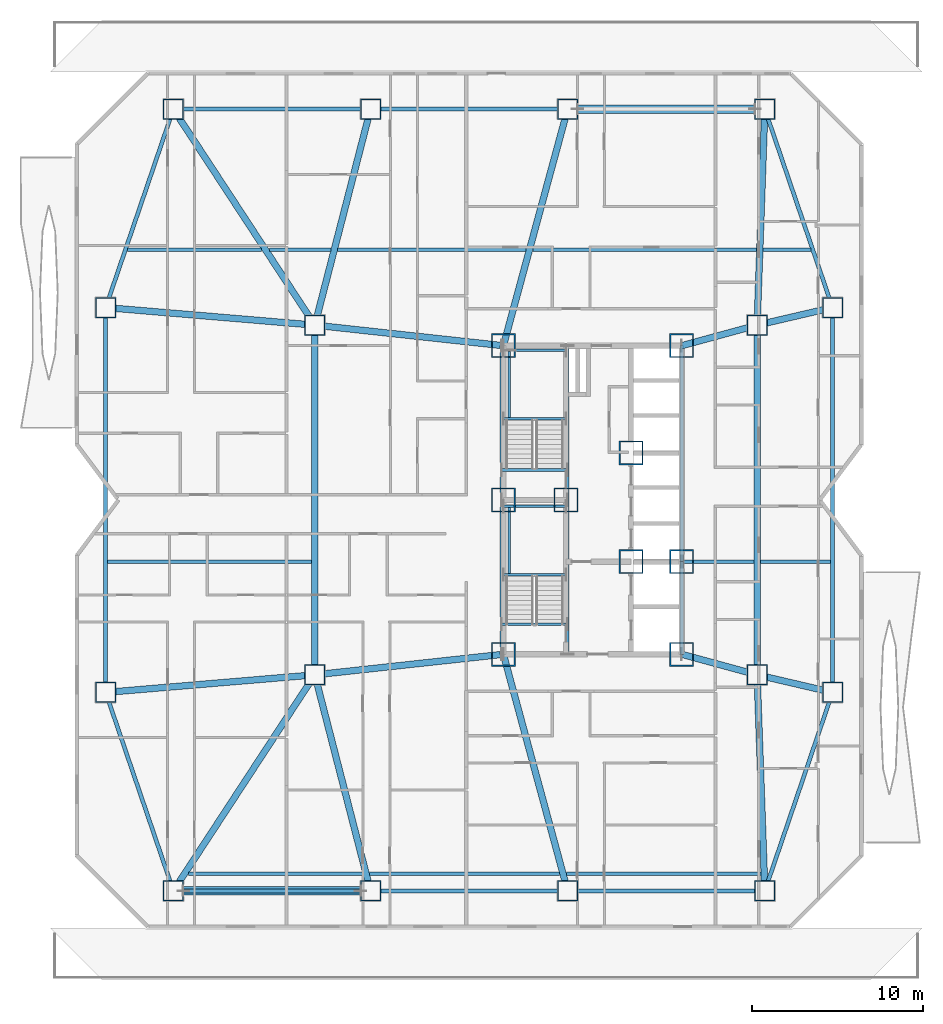
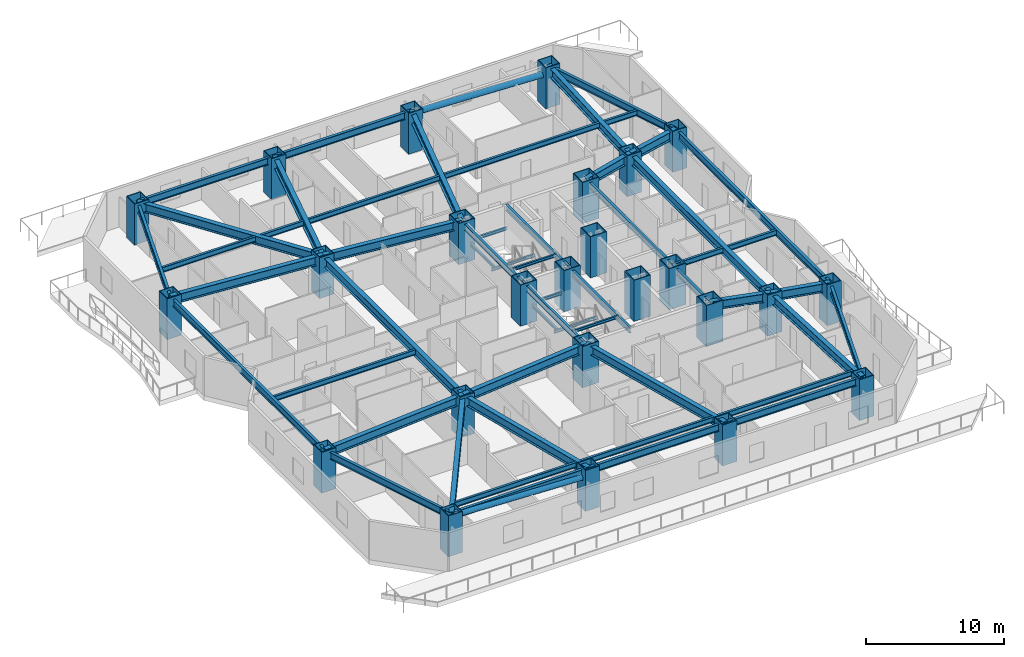
# One storey, part 1 of 18: 54 beams, 25 columns, 2 members.
"""IFC4 building model written with IfcOpenShell, lengths in metres."""

from ifc_helpers import new_model, si_unit, direction, frame, origin, origin_2d, place, context, subcontext, project, spatial, hollow_rectangle, hollow_circle, i_section, extrude, material, material_profile, profile_set, type_object, element, save


model = new_model("IFC4")

# Units and contexts
model_context = context("Model", 3, precision=1e-05, world=origin(), true_north=direction((0.0, 1.0)))
body_context = subcontext(model_context, "Body", "Model", "MODEL_VIEW")
ifc_project = project(units=[si_unit("LENGTHUNIT", "METRE"), si_unit("AREAUNIT", "SQUARE_METRE"), si_unit("VOLUMEUNIT", "CUBIC_METRE"), si_unit("PLANEANGLEUNIT", "RADIAN"), si_unit("MASSUNIT", "GRAM", prefix="KILO")], contexts=[model_context])

# Site, building, storey
site_placement = place(None, origin())
site = spatial("IfcSite", under=ifc_project, at=site_placement, CompositionType="ELEMENT")
building_placement = place(site_placement, origin())
building = spatial("IfcBuilding", under=site, at=building_placement, Name="Khamvora Tower", CompositionType="ELEMENT")
storey_placement = place(building_placement, frame((0.0, 0.0, 33.300048828125)))
storey = spatial("IfcBuildingStorey", under=building, at=storey_placement, Name="L07", CompositionType="ELEMENT", Elevation=33.300048828125)

# Columns
ifc_material_1 = material(Name="Steel S460", Category="steel")
ifc_material_profile_1 = material_profile(ifc_material_1, hollow_rectangle(XDim=1.199951171875, YDim=1.199951171875, WallThickness=0.06005859375, at=origin_2d()), Name="BOX1200x1200x60")
ifc_profile_set_1 = profile_set([ifc_material_profile_1], Name="Steel S460")
column_type_1 = type_object("IfcColumnType", Name="COL-BOX1200", PredefinedType="COLUMN", material=ifc_profile_set_1)
for number, where, z_axis, x_axis, name in (
    (1, (9.75, 5.199951171875, 0.02490234375), (0.0, 0.0, 1.0), (1.0, 0.0, 0.0), "L07 structural frame column S1"),
    (2, (21.25, 5.199951171875, 0.02490234375), (0.0, 0.0, 1.0), (1.0, 0.0, 0.0), "L07 structural frame column S2"),
    (3, (32.75, 5.199951171875, 0.02490234375), (0.0, 0.0, 1.0), (1.0, 0.0, 0.0), "L07 structural frame column S3"),
    (4, (44.25, 5.199951171875, 0.02490234375), (0.0, 0.0, 1.0), (1.0, 0.0, 0.0), "L07 structural frame column S4"),
    (5, (9.75, 50.800048828125, 0.02490234375), (0.0, 0.0, 1.0), (1.0, 0.0, 0.0), "L07 structural frame column N1"),
    (6, (21.25, 50.800048828125, 0.02490234375), (0.0, 0.0, 1.0), (1.0, 0.0, 0.0), "L07 structural frame column N2"),
    (7, (32.75, 50.800048828125, 0.02490234375), (0.0, 0.0, 1.0), (1.0, 0.0, 0.0), "L07 structural frame column N3"),
    (8, (44.25, 50.800048828125, 0.02490234375), (0.0, 0.0, 1.0), (1.0, 0.0, 0.0), "L07 structural frame column N4"),
    (9, (5.800048828125, 16.77490234375, 0.02490234375), (0.0, 0.0, 1.0), (1.0, 0.0, 0.0), "L07 structural frame column W1"),
    (10, (5.800048828125, 39.22509765625, 0.02490234375), (0.0, 0.0, 1.0), (1.0, 0.0, 0.0), "L07 structural frame column W2"),
    (11, (48.199951171875, 16.77490234375, 0.02490234375), (0.0, 0.0, 1.0), (1.0, 0.0, 0.0), "L07 structural frame column E1"),
    (12, (48.199951171875, 39.22509765625, 0.02490234375), (0.0, 0.0, 1.0), (1.0, 0.0, 0.0), "L07 structural frame column E2"),
    (13, (18.0, 17.800048828125, 0.02490234375), (0.0, 0.0, 1.0), (1.0, 0.0, 0.0), "L07 structural frame column MW1"),
    (14, (18.0, 38.199951171875, 0.02490234375), (0.0, 0.0, 1.0), (1.0, 0.0, 0.0), "L07 structural frame column MW2"),
    (15, (43.800048828125, 17.800048828125, 0.02490234375), (0.0, 0.0, 1.0), (1.0, 0.0, 0.0), "L07 structural frame column M1"),
    (16, (43.800048828125, 38.199951171875, 0.02490234375), (0.0, 0.0, 1.0), (1.0, 0.0, 0.0), "L07 structural frame column M2"),
):
    element("IfcColumn", number, at=place(storey_placement, frame(where, z_axis=z_axis, x_axis=x_axis)), inside=storey, type_object=column_type_1, Name=name, PredefinedType="COLUMN", context=body_context, shape_type="SweptSolid", body=[
        extrude(hollow_rectangle(XDim=1.199951171875, YDim=1.199951171875, WallThickness=0.06005859375, at=origin_2d()), origin(), (0.0, 0.0, 1.0), 3.625),
    ])
ifc_material_profile_2 = material_profile(ifc_material_1, hollow_rectangle(XDim=1.39990234375, YDim=1.39990234375, WallThickness=0.070068359375, at=origin_2d()), Name="BOX1400x1400x70")
ifc_profile_set_2 = profile_set([ifc_material_profile_2], Name="Steel S460")
column_type_2 = type_object("IfcColumnType", Name="COL-BOX1400", PredefinedType="COLUMN", material=ifc_profile_set_2)
for number, where, z_axis, x_axis, name in (
    (17, (29.0, 19.0, 0.0), (0.0, 0.0, 1.0), (1.0, 0.0, 0.0), "L07 plumb core spine column SC1"),
    (18, (32.64990234375, 28.0, 0.0), (0.0, 0.0, 1.0), (1.0, 0.0, 0.0), "L07 plumb core spine column SC2"),
    (19, (39.39990234375, 19.0, 0.0), (0.0, 0.0, 1.0), (1.0, 0.0, 0.0), "L07 plumb core spine column SC3"),
    (20, (29.0, 28.0, 0.0), (0.0, 0.0, 1.0), (1.0, 0.0, 0.0), "L07 plumb core spine column SC4"),
    (21, (36.449951171875, 24.39990234375, 0.0), (0.0, 0.0, 1.0), (1.0, 0.0, 0.0), "L07 plumb core spine column SC5"),
    (22, (39.39990234375, 24.39990234375, 0.0), (0.0, 0.0, 1.0), (1.0, 0.0, 0.0), "L07 plumb core spine column SC6"),
    (23, (29.0, 37.0, 0.0), (0.0, 0.0, 1.0), (1.0, 0.0, 0.0), "L07 plumb core spine column SC7"),
    (24, (36.449951171875, 30.75, 0.0), (0.0, 0.0, 1.0), (1.0, 0.0, 0.0), "L07 plumb core spine column SC8"),
    (25, (39.39990234375, 37.0, 0.0), (0.0, 0.0, 1.0), (1.0, 0.0, 0.0), "L07 plumb core spine column SC9"),
):
    element("IfcColumn", number, at=place(storey_placement, frame(where, z_axis=z_axis, x_axis=x_axis)), inside=storey, type_object=column_type_2, Name=name, PredefinedType="COLUMN", context=body_context, shape_type="SweptSolid", body=[
        extrude(hollow_rectangle(XDim=1.39990234375, YDim=1.39990234375, WallThickness=0.070068359375, at=origin_2d()), origin(), (0.0, 0.0, 1.0), 3.64990234375),
    ])

# Beams
ifc_material_2 = material(Name="Steel S355", Category="steel")
ifc_material_profile_3 = material_profile(ifc_material_2, i_section(OverallWidth=0.19189453125, OverallDepth=0.462890625, WebThickness=0.010986328125, FlangeThickness=0.01806640625, FilletRadius=0.011962890625, at=origin_2d()), Name="W460x89")
ifc_profile_set_3 = profile_set([ifc_material_profile_3], Name="Steel S355")
beam_type_1 = type_object("IfcBeamType", Name="BM-JS-W460x89", PredefinedType="JOIST", material=ifc_profile_set_3)
beam_1_placement = place(storey_placement, frame((10.626953125, 6.199951171875, 3.197998046875), z_axis=(1.0, 0.0, 0.0), x_axis=(0.0, 1.0, 0.0)))
element("IfcBeam", 26, at=beam_1_placement, inside=storey, type_object=beam_type_1, Name="L07 secondary floor joist 01", PredefinedType="JOIST", context=body_context, shape_type="SweptSolid", body=[
    extrude(i_section(OverallWidth=0.19189453125, OverallDepth=0.462890625, WebThickness=0.010986328125, FlangeThickness=0.01806640625, FilletRadius=0.011962890625, at=origin_2d()), origin(), (0.0, 0.0, 1.0), 10.173095703125),
])
beam_2_placement = place(storey_placement, frame((21.18408203125, 6.199951171875, 3.197998046875), z_axis=(1.0, 0.0, 0.0), x_axis=(0.0, 1.0, 0.0)))
element("IfcBeam", 27, at=beam_2_placement, inside=storey, type_object=beam_type_1, Name="L07 secondary floor joist 02", PredefinedType="JOIST", context=body_context, shape_type="SweptSolid", body=[
    extrude(i_section(OverallWidth=0.19189453125, OverallDepth=0.462890625, WebThickness=0.010986328125, FlangeThickness=0.01806640625, FilletRadius=0.011962890625, at=origin_2d()), origin(), (0.0, 0.0, 1.0), 11.101806640625),
])
beam_3_placement = place(storey_placement, frame((32.6708984375, 6.199951171875, 3.197998046875), z_axis=(1.0, 0.0, 0.0), x_axis=(0.0, 1.0, 0.0)))
element("IfcBeam", 28, at=beam_3_placement, inside=storey, type_object=beam_type_1, Name="L07 secondary floor joist 03", PredefinedType="JOIST", context=body_context, shape_type="SweptSolid", body=[
    extrude(i_section(OverallWidth=0.19189453125, OverallDepth=0.462890625, WebThickness=0.010986328125, FlangeThickness=0.01806640625, FilletRadius=0.011962890625, at=origin_2d()), origin(), (0.0, 0.0, 1.0), 11.358154296875),
])
beam_4_placement = place(storey_placement, frame((5.909912109375, 24.39990234375, 3.197998046875), z_axis=(1.0, 0.0, 0.0), x_axis=(0.0, 1.0, 0.0)))
element("IfcBeam", 29, at=beam_4_placement, inside=storey, type_object=beam_type_1, Name="L07 secondary floor joist 04", PredefinedType="JOIST", context=body_context, shape_type="SweptSolid", body=[
    extrude(i_section(OverallWidth=0.19189453125, OverallDepth=0.462890625, WebThickness=0.010986328125, FlangeThickness=0.01806640625, FilletRadius=0.011962890625, at=origin_2d()), origin(), (0.0, 0.0, 1.0), 11.904052734375),
])
beam_5_placement = place(storey_placement, frame((39.4990234375, 24.39990234375, 3.197998046875), z_axis=(1.0, 0.0, 0.0), x_axis=(0.0, 1.0, 0.0)))
element("IfcBeam", 30, at=beam_5_placement, inside=storey, type_object=beam_type_1, Name="L07 secondary floor joist 05", PredefinedType="JOIST", context=body_context, shape_type="SweptSolid", body=[
    extrude(i_section(OverallWidth=0.19189453125, OverallDepth=0.462890625, WebThickness=0.010986328125, FlangeThickness=0.01806640625, FilletRadius=0.011962890625, at=origin_2d()), origin(), (0.0, 0.0, 1.0), 4.114990234375),
])
beam_6_placement = place(storey_placement, frame((43.985107421875, 24.39990234375, 3.197998046875), z_axis=(1.0, 0.0, 0.0), x_axis=(0.0, 1.0, 0.0)))
element("IfcBeam", 31, at=beam_6_placement, inside=storey, type_object=beam_type_1, Name="L07 secondary floor joist 06", PredefinedType="JOIST", context=body_context, shape_type="SweptSolid", body=[
    extrude(i_section(OverallWidth=0.19189453125, OverallDepth=0.462890625, WebThickness=0.010986328125, FlangeThickness=0.01806640625, FilletRadius=0.011962890625, at=origin_2d()), origin(), (0.0, 0.0, 1.0), 4.10498046875),
])
beam_7_placement = place(storey_placement, frame((7.068115234375, 42.60009765625, 3.197998046875), z_axis=(1.0, 0.0, 0.0), x_axis=(0.0, 1.0, 0.0)))
element("IfcBeam", 32, at=beam_7_placement, inside=storey, type_object=beam_type_1, Name="L07 secondary floor joist 07", PredefinedType="JOIST", context=body_context, shape_type="SweptSolid", body=[
    extrude(i_section(OverallWidth=0.19189453125, OverallDepth=0.462890625, WebThickness=0.010986328125, FlangeThickness=0.01806640625, FilletRadius=0.011962890625, at=origin_2d()), origin(), (0.0, 0.0, 1.0), 7.827880859375),
])
beam_8_placement = place(storey_placement, frame((15.342041015625, 42.60009765625, 3.197998046875), z_axis=(1.0, 0.0, 0.0), x_axis=(0.0, 1.0, 0.0)))
element("IfcBeam", 33, at=beam_8_placement, inside=storey, type_object=beam_type_1, Name="L07 secondary floor joist 08", PredefinedType="JOIST", context=body_context, shape_type="SweptSolid", body=[
    extrude(i_section(OverallWidth=0.19189453125, OverallDepth=0.462890625, WebThickness=0.010986328125, FlangeThickness=0.01806640625, FilletRadius=0.011962890625, at=origin_2d()), origin(), (0.0, 0.0, 1.0), 3.60107421875),
])
beam_9_placement = place(storey_placement, frame((19.326904296875, 42.60009765625, 3.197998046875), z_axis=(1.0, 0.0, 0.0), x_axis=(0.0, 1.0, 0.0)))
element("IfcBeam", 34, at=beam_9_placement, inside=storey, type_object=beam_type_1, Name="L07 secondary floor joist 09", PredefinedType="JOIST", context=body_context, shape_type="SweptSolid", body=[
    extrude(i_section(OverallWidth=0.19189453125, OverallDepth=0.462890625, WebThickness=0.010986328125, FlangeThickness=0.01806640625, FilletRadius=0.011962890625, at=origin_2d()), origin(), (0.0, 0.0, 1.0), 11.002197265625),
])
beam_10_placement = place(storey_placement, frame((30.714111328125, 42.60009765625, 3.197998046875), z_axis=(1.0, 0.0, 0.0), x_axis=(0.0, 1.0, 0.0)))
element("IfcBeam", 35, at=beam_10_placement, inside=storey, type_object=beam_type_1, Name="L07 secondary floor joist 10", PredefinedType="JOIST", context=body_context, shape_type="SweptSolid", body=[
    extrude(i_section(OverallWidth=0.19189453125, OverallDepth=0.462890625, WebThickness=0.010986328125, FlangeThickness=0.01806640625, FilletRadius=0.011962890625, at=origin_2d()), origin(), (0.0, 0.0, 1.0), 13.057861328125),
])
beam_11_placement = place(storey_placement, frame((44.14306640625, 42.60009765625, 3.197998046875), z_axis=(1.0, 0.0, 0.0), x_axis=(0.0, 1.0, 0.0)))
element("IfcBeam", 36, at=beam_11_placement, inside=storey, type_object=beam_type_1, Name="L07 secondary floor joist 11", PredefinedType="JOIST", context=body_context, shape_type="SweptSolid", body=[
    extrude(i_section(OverallWidth=0.19189453125, OverallDepth=0.462890625, WebThickness=0.010986328125, FlangeThickness=0.01806640625, FilletRadius=0.011962890625, at=origin_2d()), origin(), (0.0, 0.0, 1.0), 2.788818359375),
])
ifc_material_profile_4 = material_profile(ifc_material_2, i_section(OverallWidth=0.14697265625, OverallDepth=0.261962890625, WebThickness=0.007080078125, FlangeThickness=0.010986328125, FilletRadius=0.008056640625, at=origin_2d()), Name="W250x39")
ifc_profile_set_4 = profile_set([ifc_material_profile_4], Name="Steel S355")
beam_type_2 = type_object("IfcBeamType", Name="BM-LN-W250x39", PredefinedType="LINTEL", material=ifc_profile_set_4)
for number, where, z_axis, x_axis, name in (
    (37, (29.0, 23.635009765625, 1.493896484375), (1.0, 0.0, 0.0), (0.0, 1.0, 0.0), "L07 ST-01 half-landing support beam 1.1"),
    (38, (29.0, 27.6298828125, 1.493896484375), (1.0, 0.0, 0.0), (0.0, 1.0, 0.0), "L07 ST-01 half-landing support beam 1.2"),
):
    element("IfcBeam", number, at=place(storey_placement, frame(where, z_axis=z_axis, x_axis=x_axis)), inside=storey, type_object=beam_type_2, Name=name, PredefinedType="LINTEL", context=body_context, shape_type="SweptSolid", body=[
        extrude(i_section(OverallWidth=0.14697265625, OverallDepth=0.261962890625, WebThickness=0.007080078125, FlangeThickness=0.010986328125, FilletRadius=0.008056640625, at=origin_2d()), origin(), (0.0, 0.0, 1.0), 3.64990234375),
    ])
beam_12_placement = place(storey_placement, frame((29.35009765625, 23.635009765625, 1.493896484375), z_axis=(0.0, 1.0, 0.0), x_axis=(-1.0, 0.0, 0.0)))
element("IfcBeam", 39, at=beam_12_placement, inside=storey, type_object=beam_type_2, Name="L07 ST-01 half-landing edge stringer 1", PredefinedType="LINTEL", context=body_context, shape_type="SweptSolid", body=[
    extrude(i_section(OverallWidth=0.14697265625, OverallDepth=0.261962890625, WebThickness=0.007080078125, FlangeThickness=0.010986328125, FilletRadius=0.008056640625, at=origin_2d()), origin(), (0.0, 0.0, 1.0), 3.994873046875),
])
for number, where, z_axis, x_axis, name in (
    (40, (29.0, 32.735107421875, 1.493896484375), (1.0, 0.0, 0.0), (0.0, 1.0, 0.0), "L07 ST-02 half-landing support beam 1.1"),
    (41, (29.0, 36.72998046875, 1.493896484375), (1.0, 0.0, 0.0), (0.0, 1.0, 0.0), "L07 ST-02 half-landing support beam 1.2"),
):
    element("IfcBeam", number, at=place(storey_placement, frame(where, z_axis=z_axis, x_axis=x_axis)), inside=storey, type_object=beam_type_2, Name=name, PredefinedType="LINTEL", context=body_context, shape_type="SweptSolid", body=[
        extrude(i_section(OverallWidth=0.14697265625, OverallDepth=0.261962890625, WebThickness=0.007080078125, FlangeThickness=0.010986328125, FilletRadius=0.008056640625, at=origin_2d()), origin(), (0.0, 0.0, 1.0), 3.64990234375),
    ])
beam_13_placement = place(storey_placement, frame((29.35009765625, 32.735107421875, 1.493896484375), z_axis=(0.0, 1.0, 0.0), x_axis=(-1.0, 0.0, 0.0)))
element("IfcBeam", 42, at=beam_13_placement, inside=storey, type_object=beam_type_2, Name="L07 ST-02 half-landing edge stringer 1", PredefinedType="LINTEL", context=body_context, shape_type="SweptSolid", body=[
    extrude(i_section(OverallWidth=0.14697265625, OverallDepth=0.261962890625, WebThickness=0.007080078125, FlangeThickness=0.010986328125, FilletRadius=0.008056640625, at=origin_2d()), origin(), (0.0, 0.0, 1.0), 3.994873046875),
])
for number, where, z_axis, x_axis, name in (
    (43, (28.89990234375, 20.75, 3.303955078125), (1.0, 0.0, 0.0), (0.0, 1.0, 0.0), "L07 exit stair ST-01 landing trimmer beam"),
    (44, (28.89990234375, 29.75, 3.303955078125), (1.0, 0.0, 0.0), (0.0, 1.0, 0.0), "L07 exit stair ST-02 landing trimmer beam"),
):
    element("IfcBeam", number, at=place(storey_placement, frame(where, z_axis=z_axis, x_axis=x_axis)), inside=storey, type_object=beam_type_2, Name=name, PredefinedType="LINTEL", context=body_context, shape_type="SweptSolid", body=[
        extrude(i_section(OverallWidth=0.14697265625, OverallDepth=0.261962890625, WebThickness=0.007080078125, FlangeThickness=0.010986328125, FilletRadius=0.008056640625, at=origin_2d()), origin(), (0.0, 0.0, 1.0), 3.830078125),
    ])
ifc_material_profile_5 = material_profile(ifc_material_2, i_section(OverallWidth=0.381103515625, OverallDepth=0.77294921875, WebThickness=0.01708984375, FlangeThickness=0.027099609375, FilletRadius=0.01806640625, at=origin_2d()), Name="W760x257")
ifc_profile_set_5 = profile_set([ifc_material_profile_5], Name="Steel S355")
beam_type_3 = type_object("IfcBeamType", Name="BM-PG-W760x257", PredefinedType="BEAM", material=ifc_profile_set_5)
for number, where, z_axis, x_axis, name in (
    (45, (43.800048828125, 17.800048828125, 3.04296875), (0.0, 1.0, 0.0), (-1.0, 0.0, 0.0), "L07 longitudinal frame girder M1-M2"),
    (46, (18.0, 17.800048828125, 3.04296875), (0.0, 1.0, 0.0), (-1.0, 0.0, 0.0), "L07 longitudinal frame girder MW1-MW2"),
):
    element("IfcBeam", number, at=place(storey_placement, frame(where, z_axis=z_axis, x_axis=x_axis)), inside=storey, type_object=beam_type_3, Name=name, PredefinedType="BEAM", context=body_context, shape_type="SweptSolid", body=[
        extrude(i_section(OverallWidth=0.381103515625, OverallDepth=0.77294921875, WebThickness=0.01708984375, FlangeThickness=0.027099609375, FilletRadius=0.01806640625, at=origin_2d()), origin(), (0.0, 0.0, 1.0), 20.39990234375),
    ])
beam_14_placement = place(storey_placement, frame((18.0, 17.800048828125, 3.04296875), z_axis=(-0.547782969742, -0.836620474325, 0.0), x_axis=(0.836620474325, -0.547782969742, 0.0)))
element("IfcBeam", 47, at=beam_14_placement, inside=storey, type_object=beam_type_3, Name="L07 primary floor girder S1", PredefinedType="BEAM", context=body_context, shape_type="SweptSolid", body=[
    extrude(i_section(OverallWidth=0.381103515625, OverallDepth=0.77294921875, WebThickness=0.01708984375, FlangeThickness=0.027099609375, FilletRadius=0.01806640625, at=origin_2d()), origin(), (0.0, 0.0, 1.0), 15.060791015625),
])
beam_15_placement = place(storey_placement, frame((18.0, 17.800048828125, 3.04296875), z_axis=(0.249759990341, -0.968307775051, 0.0), x_axis=(0.968307775051, 0.249759990341, 0.0)))
element("IfcBeam", 48, at=beam_15_placement, inside=storey, type_object=beam_type_3, Name="L07 primary floor girder S2", PredefinedType="BEAM", context=body_context, shape_type="SweptSolid", body=[
    extrude(i_section(OverallWidth=0.381103515625, OverallDepth=0.77294921875, WebThickness=0.01708984375, FlangeThickness=0.027099609375, FilletRadius=0.01806640625, at=origin_2d()), origin(), (0.0, 0.0, 1.0), 13.012451171875),
])
beam_16_placement = place(storey_placement, frame((29.0, 19.0, 3.04296875), z_axis=(0.262228883577, -0.965005706003, 0.0), x_axis=(0.965005706003, 0.262228883577, 0.0)))
element("IfcBeam", 49, at=beam_16_placement, inside=storey, type_object=beam_type_3, Name="L07 primary floor girder S3", PredefinedType="BEAM", context=body_context, shape_type="SweptSolid", body=[
    extrude(i_section(OverallWidth=0.381103515625, OverallDepth=0.77294921875, WebThickness=0.01708984375, FlangeThickness=0.027099609375, FilletRadius=0.01806640625, at=origin_2d()), origin(), (0.0, 0.0, 1.0), 14.300537109375),
])
beam_17_placement = place(storey_placement, frame((43.800048828125, 17.800048828125, 3.04296875), z_axis=(0.035687386423, -0.999363002342, 0.0), x_axis=(0.999363002342, 0.035687386423, 0.0)))
element("IfcBeam", 50, at=beam_17_placement, inside=storey, type_object=beam_type_3, Name="L07 primary floor girder S4", PredefinedType="BEAM", context=body_context, shape_type="SweptSolid", body=[
    extrude(i_section(OverallWidth=0.381103515625, OverallDepth=0.77294921875, WebThickness=0.01708984375, FlangeThickness=0.027099609375, FilletRadius=0.01806640625, at=origin_2d()), origin(), (0.0, 0.0, 1.0), 12.608154296875),
])
beam_18_placement = place(storey_placement, frame((18.0, 38.199951171875, 3.04296875), z_axis=(-0.547782969742, 0.836620474325, 0.0), x_axis=(-0.836620474325, -0.547782969742, 0.0)))
element("IfcBeam", 51, at=beam_18_placement, inside=storey, type_object=beam_type_3, Name="L07 primary floor girder N1", PredefinedType="BEAM", context=body_context, shape_type="SweptSolid", body=[
    extrude(i_section(OverallWidth=0.381103515625, OverallDepth=0.77294921875, WebThickness=0.01708984375, FlangeThickness=0.027099609375, FilletRadius=0.01806640625, at=origin_2d()), origin(), (0.0, 0.0, 1.0), 15.060791015625),
])
beam_19_placement = place(storey_placement, frame((18.0, 38.199951171875, 3.04296875), z_axis=(0.249759990341, 0.968307775051, 0.0), x_axis=(-0.968307775051, 0.249759990341, 0.0)))
element("IfcBeam", 52, at=beam_19_placement, inside=storey, type_object=beam_type_3, Name="L07 primary floor girder N2", PredefinedType="BEAM", context=body_context, shape_type="SweptSolid", body=[
    extrude(i_section(OverallWidth=0.381103515625, OverallDepth=0.77294921875, WebThickness=0.01708984375, FlangeThickness=0.027099609375, FilletRadius=0.01806640625, at=origin_2d()), origin(), (0.0, 0.0, 1.0), 13.012451171875),
])
beam_20_placement = place(storey_placement, frame((29.0, 37.0, 3.04296875), z_axis=(0.262228883577, 0.965005706003, 0.0), x_axis=(-0.965005706003, 0.262228883577, 0.0)))
element("IfcBeam", 53, at=beam_20_placement, inside=storey, type_object=beam_type_3, Name="L07 primary floor girder N3", PredefinedType="BEAM", context=body_context, shape_type="SweptSolid", body=[
    extrude(i_section(OverallWidth=0.381103515625, OverallDepth=0.77294921875, WebThickness=0.01708984375, FlangeThickness=0.027099609375, FilletRadius=0.01806640625, at=origin_2d()), origin(), (0.0, 0.0, 1.0), 14.300537109375),
])
beam_21_placement = place(storey_placement, frame((43.800048828125, 38.199951171875, 3.04296875), z_axis=(0.035687386423, 0.999363002342, 0.0), x_axis=(-0.999363002342, 0.035687386423, 0.0)))
element("IfcBeam", 54, at=beam_21_placement, inside=storey, type_object=beam_type_3, Name="L07 primary floor girder N4", PredefinedType="BEAM", context=body_context, shape_type="SweptSolid", body=[
    extrude(i_section(OverallWidth=0.381103515625, OverallDepth=0.77294921875, WebThickness=0.01708984375, FlangeThickness=0.027099609375, FilletRadius=0.01806640625, at=origin_2d()), origin(), (0.0, 0.0, 1.0), 12.608154296875),
])
for number, where, z_axis, x_axis, name in (
    (55, (18.0, 17.800048828125, 3.04296875), (-0.996488172114, -0.083733642207, 0.0), (0.083733642207, -0.996488172114, 0.0), "L07 primary floor girder W1"),
    (56, (18.0, 38.199951171875, 3.04296875), (-0.996488172114, 0.083733642207, 0.0), (-0.083733642207, -0.996488172114, 0.0), "L07 primary floor girder W2"),
):
    element("IfcBeam", number, at=place(storey_placement, frame(where, z_axis=z_axis, x_axis=x_axis)), inside=storey, type_object=beam_type_3, Name=name, PredefinedType="BEAM", context=body_context, shape_type="SweptSolid", body=[
        extrude(i_section(OverallWidth=0.381103515625, OverallDepth=0.77294921875, WebThickness=0.01708984375, FlangeThickness=0.027099609375, FilletRadius=0.01806640625, at=origin_2d()), origin(), (0.0, 0.0, 1.0), 12.242919921875),
    ])
for number, where, z_axis, x_axis, name in (
    (57, (43.800048828125, 17.800048828125, 3.04296875), (0.973914503503, -0.226915270237, 0.0), (0.226915270237, 0.973914503503, 0.0), "L07 primary floor girder E1"),
    (58, (43.800048828125, 38.199951171875, 3.04296875), (0.973914503503, 0.226915270237, 0.0), (-0.226915270237, 0.973914503503, 0.0), "L07 primary floor girder E2"),
):
    element("IfcBeam", number, at=place(storey_placement, frame(where, z_axis=z_axis, x_axis=x_axis)), inside=storey, type_object=beam_type_3, Name=name, PredefinedType="BEAM", context=body_context, shape_type="SweptSolid", body=[
        extrude(i_section(OverallWidth=0.381103515625, OverallDepth=0.77294921875, WebThickness=0.01708984375, FlangeThickness=0.027099609375, FilletRadius=0.01806640625, at=origin_2d()), origin(), (0.0, 0.0, 1.0), 4.517822265625),
    ])
for number, where, z_axis, x_axis, name in (
    (59, (29.0, 19.0, 3.04296875), (-0.994102652327, -0.108443149329, 0.0), (0.108443149329, -0.994102652327, 0.0), "L07 primary floor girder MW1"),
    (60, (29.0, 37.0, 3.04296875), (-0.994102652327, 0.108443149329, 0.0), (-0.108443149329, -0.994102652327, 0.0), "L07 primary floor girder MW2"),
):
    element("IfcBeam", number, at=place(storey_placement, frame(where, z_axis=z_axis, x_axis=x_axis)), inside=storey, type_object=beam_type_3, Name=name, PredefinedType="BEAM", context=body_context, shape_type="SweptSolid", body=[
        extrude(i_section(OverallWidth=0.381103515625, OverallDepth=0.77294921875, WebThickness=0.01708984375, FlangeThickness=0.027099609375, FilletRadius=0.01806640625, at=origin_2d()), origin(), (0.0, 0.0, 1.0), 11.065185546875),
    ])
for number, where, z_axis, x_axis, name in (
    (61, (39.39990234375, 19.0, 3.04296875), (0.964768762286, -0.263099287945, 0.0), (0.263099287945, 0.964768762286, 0.0), "L07 primary floor girder M1"),
    (62, (39.39990234375, 37.0, 3.04296875), (0.964768762286, 0.263099287945, 0.0), (-0.263099287945, 0.964768762286, 0.0), "L07 primary floor girder M2"),
):
    element("IfcBeam", number, at=place(storey_placement, frame(where, z_axis=z_axis, x_axis=x_axis)), inside=storey, type_object=beam_type_3, Name=name, PredefinedType="BEAM", context=body_context, shape_type="SweptSolid", body=[
        extrude(i_section(OverallWidth=0.381103515625, OverallDepth=0.77294921875, WebThickness=0.01708984375, FlangeThickness=0.027099609375, FilletRadius=0.01806640625, at=origin_2d()), origin(), (0.0, 0.0, 1.0), 4.560791015625),
    ])
ifc_material_profile_6 = material_profile(ifc_material_2, i_section(OverallWidth=0.208984375, OverallDepth=0.532958984375, WebThickness=0.010009765625, FlangeThickness=0.01611328125, FilletRadius=0.013916015625, at=origin_2d()), Name="W530x92")
ifc_profile_set_6 = profile_set([ifc_material_profile_6], Name="Steel S355")
beam_type_4 = type_object("IfcBeamType", Name="BM-SP-W530x92", PredefinedType="SPANDREL", material=ifc_profile_set_6)
for number, where, z_axis, x_axis, name in (
    (63, (28.89990234375, 19.0, 3.162841796875), (0.0, 1.0, 0.0), (-1.0, 0.0, 0.0), "L07 core spine girder WS"),
    (64, (28.89990234375, 28.0, 3.162841796875), (0.0, 1.0, 0.0), (-1.0, 0.0, 0.0), "L07 core spine girder WN"),
    (65, (32.72998046875, 19.0, 3.162841796875), (0.0, 1.0, 0.0), (-1.0, 0.0, 0.0), "L07 core spine girder M1S"),
    (66, (32.72998046875, 28.0, 3.162841796875), (0.0, 1.0, 0.0), (-1.0, 0.0, 0.0), "L07 core spine girder M1N"),
):
    element("IfcBeam", number, at=place(storey_placement, frame(where, z_axis=z_axis, x_axis=x_axis)), inside=storey, type_object=beam_type_4, Name=name, PredefinedType="SPANDREL", context=body_context, shape_type="SweptSolid", body=[
        extrude(i_section(OverallWidth=0.208984375, OverallDepth=0.532958984375, WebThickness=0.010009765625, FlangeThickness=0.01611328125, FilletRadius=0.013916015625, at=origin_2d()), origin(), (0.0, 0.0, 1.0), 9.0),
    ])
beam_22_placement = place(storey_placement, frame((39.39990234375, 19.0, 3.162841796875), z_axis=(0.0, 1.0, 0.0), x_axis=(-1.0, 0.0, 0.0)))
element("IfcBeam", 67, at=beam_22_placement, inside=storey, type_object=beam_type_4, Name="L07 core spine girder ES", PredefinedType="SPANDREL", context=body_context, shape_type="SweptSolid", body=[
    extrude(i_section(OverallWidth=0.208984375, OverallDepth=0.532958984375, WebThickness=0.010009765625, FlangeThickness=0.01611328125, FilletRadius=0.013916015625, at=origin_2d()), origin(), (0.0, 0.0, 1.0), 5.39990234375),
])
beam_23_placement = place(storey_placement, frame((39.39990234375, 24.39990234375, 3.162841796875), z_axis=(0.0, 1.0, 0.0), x_axis=(-1.0, 0.0, 0.0)))
element("IfcBeam", 68, at=beam_23_placement, inside=storey, type_object=beam_type_4, Name="L07 core spine girder EN", PredefinedType="SPANDREL", context=body_context, shape_type="SweptSolid", body=[
    extrude(i_section(OverallWidth=0.208984375, OverallDepth=0.532958984375, WebThickness=0.010009765625, FlangeThickness=0.01611328125, FilletRadius=0.013916015625, at=origin_2d()), origin(), (0.0, 0.0, 1.0), 12.60009765625),
])
ifc_material_profile_7 = material_profile(ifc_material_2, i_section(OverallWidth=0.22998046875, OverallDepth=0.616943359375, WebThickness=0.012939453125, FlangeThickness=0.02197265625, FilletRadius=0.013916015625, at=origin_2d()), Name="W610x140")
ifc_profile_set_7 = profile_set([ifc_material_profile_7], Name="Steel S355")
beam_type_5 = type_object("IfcBeamType", Name="BM-SP-W610x140", PredefinedType="SPANDREL", material=ifc_profile_set_7)
beam_24_placement = place(storey_placement, frame((5.800048828125, 16.77490234375, 3.120849609375), z_axis=(0.322962893199, -0.946411628002, 0.0), x_axis=(0.946411628002, 0.322962893199, 0.0)))
element("IfcBeam", 69, at=beam_24_placement, inside=storey, type_object=beam_type_5, Name="L07 perimeter spandrel beam W1-S1", PredefinedType="SPANDREL", context=body_context, shape_type="SweptSolid", body=[
    extrude(i_section(OverallWidth=0.22998046875, OverallDepth=0.616943359375, WebThickness=0.012939453125, FlangeThickness=0.02197265625, FilletRadius=0.013916015625, at=origin_2d()), origin(), (0.0, 0.0, 1.0), 12.23046875),
])
for number, where, z_axis, x_axis, name in (
    (70, (9.75, 5.199951171875, 3.120849609375), (1.0, 0.0, 0.0), (0.0, 1.0, 0.0), "L07 perimeter spandrel beam S1-S2"),
    (71, (21.25, 5.199951171875, 3.120849609375), (1.0, 0.0, 0.0), (0.0, 1.0, 0.0), "L07 perimeter spandrel beam S2-S3"),
    (72, (32.75, 5.199951171875, 3.120849609375), (1.0, 0.0, 0.0), (0.0, 1.0, 0.0), "L07 perimeter spandrel beam S3-S4"),
):
    element("IfcBeam", number, at=place(storey_placement, frame(where, z_axis=z_axis, x_axis=x_axis)), inside=storey, type_object=beam_type_5, Name=name, PredefinedType="SPANDREL", context=body_context, shape_type="SweptSolid", body=[
        extrude(i_section(OverallWidth=0.22998046875, OverallDepth=0.616943359375, WebThickness=0.012939453125, FlangeThickness=0.02197265625, FilletRadius=0.013916015625, at=origin_2d()), origin(), (0.0, 0.0, 1.0), 11.5),
    ])
beam_25_placement = place(storey_placement, frame((44.25, 5.199951171875, 3.120849609375), z_axis=(0.322962893199, 0.946411628002, 0.0), x_axis=(-0.946411628002, 0.322962893199, 0.0)))
element("IfcBeam", 73, at=beam_25_placement, inside=storey, type_object=beam_type_5, Name="L07 perimeter spandrel beam S4-E1", PredefinedType="SPANDREL", context=body_context, shape_type="SweptSolid", body=[
    extrude(i_section(OverallWidth=0.22998046875, OverallDepth=0.616943359375, WebThickness=0.012939453125, FlangeThickness=0.02197265625, FilletRadius=0.013916015625, at=origin_2d()), origin(), (0.0, 0.0, 1.0), 12.23046875),
])
beam_26_placement = place(storey_placement, frame((48.199951171875, 16.77490234375, 3.120849609375), z_axis=(0.0, 1.0, 0.0), x_axis=(-1.0, 0.0, 0.0)))
element("IfcBeam", 74, at=beam_26_placement, inside=storey, type_object=beam_type_5, Name="L07 perimeter spandrel beam E1-E2", PredefinedType="SPANDREL", context=body_context, shape_type="SweptSolid", body=[
    extrude(i_section(OverallWidth=0.22998046875, OverallDepth=0.616943359375, WebThickness=0.012939453125, FlangeThickness=0.02197265625, FilletRadius=0.013916015625, at=origin_2d()), origin(), (0.0, 0.0, 1.0), 22.4501953125),
])
beam_27_placement = place(storey_placement, frame((48.199951171875, 39.22509765625, 3.120849609375), z_axis=(-0.322962893199, 0.946411628002, 0.0), x_axis=(-0.946411628002, -0.322962893199, 0.0)))
element("IfcBeam", 75, at=beam_27_placement, inside=storey, type_object=beam_type_5, Name="L07 perimeter spandrel beam E2-N4", PredefinedType="SPANDREL", context=body_context, shape_type="SweptSolid", body=[
    extrude(i_section(OverallWidth=0.22998046875, OverallDepth=0.616943359375, WebThickness=0.012939453125, FlangeThickness=0.02197265625, FilletRadius=0.013916015625, at=origin_2d()), origin(), (0.0, 0.0, 1.0), 12.23046875),
])
for number, where, z_axis, x_axis, name in (
    (76, (32.75, 50.800048828125, 3.120849609375), (-1.0, 0.0, 0.0), (0.0, -1.0, 0.0), "L07 perimeter spandrel beam N3-N2"),
    (77, (21.25, 50.800048828125, 3.120849609375), (-1.0, 0.0, 0.0), (0.0, -1.0, 0.0), "L07 perimeter spandrel beam N2-N1"),
):
    element("IfcBeam", number, at=place(storey_placement, frame(where, z_axis=z_axis, x_axis=x_axis)), inside=storey, type_object=beam_type_5, Name=name, PredefinedType="SPANDREL", context=body_context, shape_type="SweptSolid", body=[
        extrude(i_section(OverallWidth=0.22998046875, OverallDepth=0.616943359375, WebThickness=0.012939453125, FlangeThickness=0.02197265625, FilletRadius=0.013916015625, at=origin_2d()), origin(), (0.0, 0.0, 1.0), 11.5),
    ])
beam_28_placement = place(storey_placement, frame((9.75, 50.800048828125, 3.120849609375), z_axis=(-0.322962893199, -0.946411628002, 0.0), x_axis=(0.946411628002, -0.322962893199, 0.0)))
element("IfcBeam", 78, at=beam_28_placement, inside=storey, type_object=beam_type_5, Name="L07 perimeter spandrel beam N1-W2", PredefinedType="SPANDREL", context=body_context, shape_type="SweptSolid", body=[
    extrude(i_section(OverallWidth=0.22998046875, OverallDepth=0.616943359375, WebThickness=0.012939453125, FlangeThickness=0.02197265625, FilletRadius=0.013916015625, at=origin_2d()), origin(), (0.0, 0.0, 1.0), 12.23046875),
])
beam_29_placement = place(storey_placement, frame((5.800048828125, 39.22509765625, 3.120849609375), z_axis=(0.0, -1.0, 0.0), x_axis=(1.0, 0.0, 0.0)))
element("IfcBeam", 79, at=beam_29_placement, inside=storey, type_object=beam_type_5, Name="L07 perimeter spandrel beam W2-W1", PredefinedType="SPANDREL", context=body_context, shape_type="SweptSolid", body=[
    extrude(i_section(OverallWidth=0.22998046875, OverallDepth=0.616943359375, WebThickness=0.012939453125, FlangeThickness=0.02197265625, FilletRadius=0.013916015625, at=origin_2d()), origin(), (0.0, 0.0, 1.0), 22.4501953125),
])

# Members
ifc_material_profile_8 = material_profile(ifc_material_1, hollow_circle(Radius=0.25390625, WallThickness=0.02490234375, at=origin_2d()), Name="CHS508x25")
ifc_profile_set_8 = profile_set([ifc_material_profile_8], Name="Steel S460")
member_type = type_object("IfcMemberType", Name="MEM-BR-CHS508", PredefinedType="BRACE", material=ifc_profile_set_8)
for number, where, z_axis, x_axis, name in (
    (80, (20.669921875, 5.199951171875, 2.701904296875), (-0.999263820948, 0.0, 0.038364256065), (0.0, -1.0, 0.0), "L07 perimeter wind brace 1"),
    (81, (43.669921875, 50.800048828125, 2.701904296875), (-0.999263820948, 0.0, 0.038364256065), (0.0, -1.0, 0.0), "L07 perimeter wind brace 2"),
):
    element("IfcMember", number, at=place(storey_placement, frame(where, z_axis=z_axis, x_axis=x_axis)), inside=storey, type_object=member_type, Name=name, PredefinedType="BRACE", context=body_context, shape_type="SweptSolid", body=[
        extrude(hollow_circle(Radius=0.25390625, WallThickness=0.02490234375, at=origin_2d()), origin(), (0.0, 0.0, 1.0), 10.347412109375),
    ])

save(model, "model.ifc")
